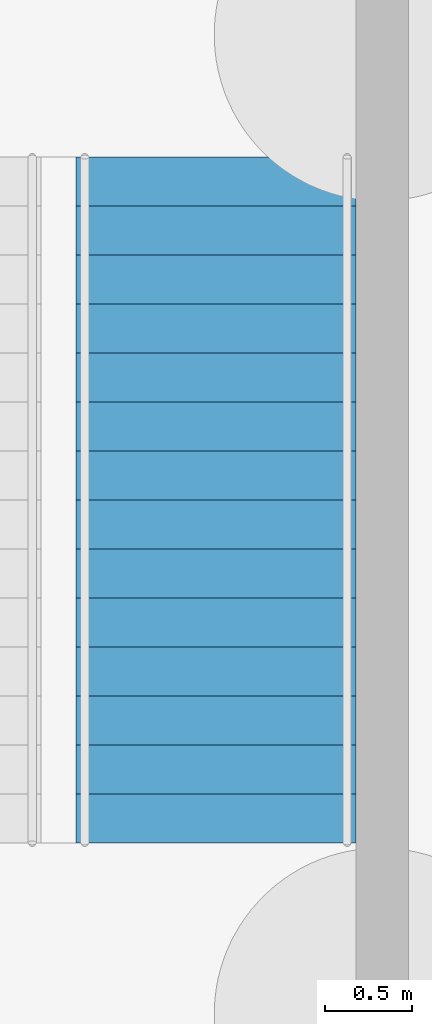
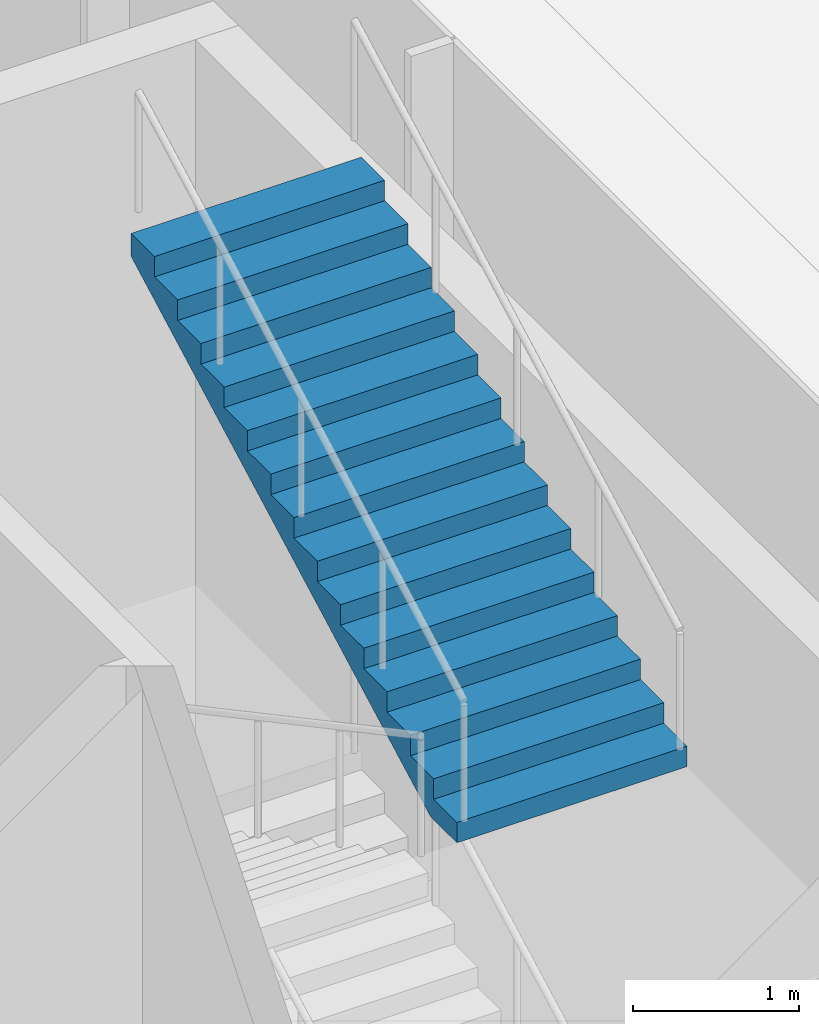
# One storey, part 103 of 113: 1 stair flight, 1 element without a shape of its own.
"""IFC4 building model written with IfcOpenShell, lengths in metres."""

from ifc_helpers import new_model, si_unit, direction, frame, origin, place, context, subcontext, project, spatial, triangles, material, type_object, element, aggregate, save


model = new_model("IFC4")

# Units and contexts
model_context = context("Model", 3, precision=1e-05, world=origin(), true_north=direction((0.0, 1.0)))
body_context = subcontext(model_context, "Body", "Model", "MODEL_VIEW")
ifc_project = project(units=[si_unit("LENGTHUNIT", "METRE"), si_unit("AREAUNIT", "SQUARE_METRE"), si_unit("VOLUMEUNIT", "CUBIC_METRE"), si_unit("PLANEANGLEUNIT", "RADIAN"), si_unit("MASSUNIT", "GRAM", prefix="KILO")], contexts=[model_context])

# Site, building, storey
site_placement = place(None, origin())
site = spatial("IfcSite", under=ifc_project, at=site_placement, CompositionType="ELEMENT")
building_placement = place(site_placement, origin())
building = spatial("IfcBuilding", under=site, at=building_placement, Name="Hakoniwa Tower and Hamabe Station Hall", CompositionType="ELEMENT")
storey_placement = place(building_placement, origin())
storey = spatial("IfcBuildingStorey", under=building, at=storey_placement, Name="L01", CompositionType="ELEMENT", Elevation=0.0)

# Stair, stair flight
ifc_material_1 = material(Name="Concrete C40", Category="concrete")
stair_type = type_object("IfcStairType", Name="STAIR 1600 15X150", PredefinedType="HALF_TURN_STAIR", material=ifc_material_1)
stair_placement = place(storey_placement, origin())
stair = element("IfcStair", 1, at=stair_placement, inside=storey, type_object=stair_type, Name="Escape stair SS4 L01", PredefinedType="HALF_TURN_STAIR")
ifc_material_2 = material(Name="Concrete C40", Category="concrete")
stair_flight_type = type_object("IfcStairFlightType", Name="STAIR FLIGHT 1600", PredefinedType="STRAIGHT", material=ifc_material_2)
stair_flight_placement = place(storey_placement, frame((167.64990234375, -20.820068359375, 6.75), z_axis=(0.0, 0.0, 1.0), x_axis=(0.0, 1.0, 0.0)))
stair_flight = element("IfcStairFlight", 2, at=stair_flight_placement, type_object=stair_flight_type, Name="SS4 flight 4", NumberOfRisers=15, NumberOfTreads=14, PredefinedType="STRAIGHT", RiserHeight=0.15, TreadLength=0.28, context=body_context, shape_type="Tessellation", body=[
    triangles([(0.0, 0.800048828125, 0.0), (0.280029296875, 0.800048828125, 0.0), (0.3173828125, 0.800048828125, 0.0), (0.56005859375, 0.800048828125, 0.1298828125), (0.840087890625, 0.800048828125, 0.280029296875), (1.1201171875, 0.800048828125, 0.429931640625), (1.39990234375, 0.800048828125, 0.579833984375), (1.679931640625, 0.800048828125, 0.72998046875), (1.9599609375, 0.800048828125, 0.8798828125), (2.239990234375, 0.800048828125, 1.030029296875), (2.52001953125, 0.800048828125, 1.179931640625), (2.800048828125, 0.800048828125, 1.329833984375), (3.080078125, 0.800048828125, 1.47998046875), (3.360107421875, 0.800048828125, 1.6298828125), (3.639892578125, 0.800048828125, 1.780029296875), (3.919921875, 0.800048828125, 1.929931640625), (3.919921875, 0.800048828125, 2.10009765625), (3.639892578125, 0.800048828125, 2.10009765625), (3.639892578125, 0.800048828125, 1.949951171875), (3.360107421875, 0.800048828125, 1.949951171875), (3.360107421875, 0.800048828125, 1.800048828125), (3.080078125, 0.800048828125, 1.800048828125), (3.080078125, 0.800048828125, 1.64990234375), (2.800048828125, 0.800048828125, 1.64990234375), (2.800048828125, 0.800048828125, 1.5), (2.52001953125, 0.800048828125, 1.5), (2.52001953125, 0.800048828125, 1.35009765625), (2.239990234375, 0.800048828125, 1.35009765625), (2.239990234375, 0.800048828125, 1.199951171875), (1.9599609375, 0.800048828125, 1.199951171875), (1.9599609375, 0.800048828125, 1.050048828125), (1.679931640625, 0.800048828125, 1.050048828125), (1.679931640625, 0.800048828125, 0.89990234375), (1.39990234375, 0.800048828125, 0.89990234375), (1.39990234375, 0.800048828125, 0.75), (1.1201171875, 0.800048828125, 0.75), (1.1201171875, 0.800048828125, 0.60009765625), (0.840087890625, 0.800048828125, 0.60009765625), (0.840087890625, 0.800048828125, 0.449951171875), (0.56005859375, 0.800048828125, 0.449951171875), (0.56005859375, 0.800048828125, 0.300048828125), (0.3173828125, 0.800048828125, 0.300048828125), (0.280029296875, 0.800048828125, 0.300048828125), (0.280029296875, 0.800048828125, 0.14990234375), (0.0, 0.800048828125, 0.14990234375), (0.0, 0.06005859375, 0.0), (0.280029296875, 0.06005859375, 0.0), (0.3173828125, 0.06005859375, 0.0), (0.56005859375, 0.06005859375, 0.1298828125), (0.840087890625, 0.06005859375, 0.280029296875), (1.1201171875, 0.06005859375, 0.429931640625), (1.39990234375, 0.06005859375, 0.579833984375), (1.679931640625, 0.06005859375, 0.72998046875), (1.9599609375, 0.06005859375, 0.8798828125), (2.239990234375, 0.06005859375, 1.030029296875), (2.52001953125, 0.06005859375, 1.179931640625), (2.800048828125, 0.06005859375, 1.329833984375), (3.080078125, 0.06005859375, 1.47998046875), (3.360107421875, 0.06005859375, 1.6298828125), (3.639892578125, 0.06005859375, 1.780029296875), (3.919921875, 0.06005859375, 1.929931640625), (3.919921875, 0.06005859375, 2.10009765625), (3.639892578125, 0.06005859375, 2.10009765625), (3.639892578125, 0.06005859375, 1.949951171875), (3.360107421875, 0.06005859375, 1.949951171875), (3.360107421875, 0.06005859375, 1.800048828125), (3.080078125, 0.06005859375, 1.800048828125), (3.080078125, 0.06005859375, 1.64990234375), (2.800048828125, 0.06005859375, 1.64990234375), (2.800048828125, 0.06005859375, 1.5), (2.52001953125, 0.06005859375, 1.5), (2.52001953125, 0.06005859375, 1.35009765625), (2.239990234375, 0.06005859375, 1.35009765625), (2.239990234375, 0.06005859375, 1.199951171875), (1.9599609375, 0.06005859375, 1.199951171875), (1.9599609375, 0.06005859375, 1.050048828125), (1.679931640625, 0.06005859375, 1.050048828125), (1.679931640625, 0.06005859375, 0.89990234375), (1.39990234375, 0.06005859375, 0.89990234375), (1.39990234375, 0.06005859375, 0.75), (1.1201171875, 0.06005859375, 0.75), (1.1201171875, 0.06005859375, 0.60009765625), (0.840087890625, 0.06005859375, 0.60009765625), (0.840087890625, 0.06005859375, 0.449951171875), (0.56005859375, 0.06005859375, 0.449951171875), (0.56005859375, 0.06005859375, 0.300048828125), (0.3173828125, 0.06005859375, 0.300048828125), (0.280029296875, 0.06005859375, 0.300048828125), (0.280029296875, 0.06005859375, 0.14990234375), (0.0, 0.06005859375, 0.14990234375), (0.0, 0.02001953125, 0.0), (0.280029296875, 0.02001953125, 0.0), (0.3173828125, 0.02001953125, 0.0), (0.56005859375, 0.02001953125, 0.1298828125), (0.840087890625, 0.02001953125, 0.280029296875), (1.1201171875, 0.02001953125, 0.429931640625), (1.39990234375, 0.02001953125, 0.579833984375), (1.679931640625, 0.02001953125, 0.72998046875), (1.9599609375, 0.02001953125, 0.8798828125), (2.239990234375, 0.02001953125, 1.030029296875), (2.52001953125, 0.02001953125, 1.179931640625), (2.800048828125, 0.02001953125, 1.329833984375), (3.080078125, 0.02001953125, 1.47998046875), (3.360107421875, 0.02001953125, 1.6298828125), (3.639892578125, 0.02001953125, 1.780029296875), (3.919921875, 0.02001953125, 1.929931640625), (3.919921875, 0.02001953125, 2.10009765625), (3.639892578125, 0.02001953125, 2.10009765625), (3.639892578125, 0.02001953125, 1.949951171875), (3.360107421875, 0.02001953125, 1.949951171875), (3.360107421875, 0.02001953125, 1.800048828125), (3.080078125, 0.02001953125, 1.800048828125), (3.080078125, 0.02001953125, 1.64990234375), (2.800048828125, 0.02001953125, 1.64990234375), (2.800048828125, 0.02001953125, 1.5), (2.52001953125, 0.02001953125, 1.5), (2.52001953125, 0.02001953125, 1.35009765625), (2.239990234375, 0.02001953125, 1.35009765625), (2.239990234375, 0.02001953125, 1.199951171875), (1.9599609375, 0.02001953125, 1.199951171875), (1.9599609375, 0.02001953125, 1.050048828125), (1.679931640625, 0.02001953125, 1.050048828125), (1.679931640625, 0.02001953125, 0.89990234375), (1.39990234375, 0.02001953125, 0.89990234375), (1.39990234375, 0.02001953125, 0.75), (1.1201171875, 0.02001953125, 0.75), (1.1201171875, 0.02001953125, 0.60009765625), (0.840087890625, 0.02001953125, 0.60009765625), (0.840087890625, 0.02001953125, 0.449951171875), (0.56005859375, 0.02001953125, 0.449951171875), (0.56005859375, 0.02001953125, 0.300048828125), (0.3173828125, 0.02001953125, 0.300048828125), (0.280029296875, 0.02001953125, 0.300048828125), (0.280029296875, 0.02001953125, 0.14990234375), (0.0, 0.02001953125, 0.14990234375), (0.0, -0.02001953125, 0.0), (0.280029296875, -0.02001953125, 0.0), (0.3173828125, -0.02001953125, 0.0), (0.56005859375, -0.02001953125, 0.1298828125), (0.840087890625, -0.02001953125, 0.280029296875), (1.1201171875, -0.02001953125, 0.429931640625), (1.39990234375, -0.02001953125, 0.579833984375), (1.679931640625, -0.02001953125, 0.72998046875), (1.9599609375, -0.02001953125, 0.8798828125), (2.239990234375, -0.02001953125, 1.030029296875), (2.52001953125, -0.02001953125, 1.179931640625), (2.800048828125, -0.02001953125, 1.329833984375), (3.080078125, -0.02001953125, 1.47998046875), (3.360107421875, -0.02001953125, 1.6298828125), (3.639892578125, -0.02001953125, 1.780029296875), (3.919921875, -0.02001953125, 1.929931640625), (3.919921875, -0.02001953125, 2.10009765625), (3.639892578125, -0.02001953125, 2.10009765625), (3.639892578125, -0.02001953125, 1.949951171875), (3.360107421875, -0.02001953125, 1.949951171875), (3.360107421875, -0.02001953125, 1.800048828125), (3.080078125, -0.02001953125, 1.800048828125), (3.080078125, -0.02001953125, 1.64990234375), (2.800048828125, -0.02001953125, 1.64990234375), (2.800048828125, -0.02001953125, 1.5), (2.52001953125, -0.02001953125, 1.5), (2.52001953125, -0.02001953125, 1.35009765625), (2.239990234375, -0.02001953125, 1.35009765625), (2.239990234375, -0.02001953125, 1.199951171875), (1.9599609375, -0.02001953125, 1.199951171875), (1.9599609375, -0.02001953125, 1.050048828125), (1.679931640625, -0.02001953125, 1.050048828125), (1.679931640625, -0.02001953125, 0.89990234375), (1.39990234375, -0.02001953125, 0.89990234375), (1.39990234375, -0.02001953125, 0.75), (1.1201171875, -0.02001953125, 0.75), (1.1201171875, -0.02001953125, 0.60009765625), (0.840087890625, -0.02001953125, 0.60009765625), (0.840087890625, -0.02001953125, 0.449951171875), (0.56005859375, -0.02001953125, 0.449951171875), (0.56005859375, -0.02001953125, 0.300048828125), (0.3173828125, -0.02001953125, 0.300048828125), (0.280029296875, -0.02001953125, 0.300048828125), (0.280029296875, -0.02001953125, 0.14990234375), (0.0, -0.02001953125, 0.14990234375), (0.0, -0.06005859375, 0.0), (0.280029296875, -0.06005859375, 0.0), (0.3173828125, -0.06005859375, 0.0), (0.56005859375, -0.06005859375, 0.1298828125), (0.840087890625, -0.06005859375, 0.280029296875), (1.1201171875, -0.06005859375, 0.429931640625), (1.39990234375, -0.06005859375, 0.579833984375), (1.679931640625, -0.06005859375, 0.72998046875), (1.9599609375, -0.06005859375, 0.8798828125), (2.239990234375, -0.06005859375, 1.030029296875), (2.52001953125, -0.06005859375, 1.179931640625), (2.800048828125, -0.06005859375, 1.329833984375), (3.080078125, -0.06005859375, 1.47998046875), (3.360107421875, -0.06005859375, 1.6298828125), (3.639892578125, -0.06005859375, 1.780029296875), (3.919921875, -0.06005859375, 1.929931640625), (3.919921875, -0.06005859375, 2.10009765625), (3.639892578125, -0.06005859375, 2.10009765625), (3.639892578125, -0.06005859375, 1.949951171875), (3.360107421875, -0.06005859375, 1.949951171875), (3.360107421875, -0.06005859375, 1.800048828125), (3.080078125, -0.06005859375, 1.800048828125), (3.080078125, -0.06005859375, 1.64990234375), (2.800048828125, -0.06005859375, 1.64990234375), (2.800048828125, -0.06005859375, 1.5), (2.52001953125, -0.06005859375, 1.5), (2.52001953125, -0.06005859375, 1.35009765625), (2.239990234375, -0.06005859375, 1.35009765625), (2.239990234375, -0.06005859375, 1.199951171875), (1.9599609375, -0.06005859375, 1.199951171875), (1.9599609375, -0.06005859375, 1.050048828125), (1.679931640625, -0.06005859375, 1.050048828125), (1.679931640625, -0.06005859375, 0.89990234375), (1.39990234375, -0.06005859375, 0.89990234375), (1.39990234375, -0.06005859375, 0.75), (1.1201171875, -0.06005859375, 0.75), (1.1201171875, -0.06005859375, 0.60009765625), (0.840087890625, -0.06005859375, 0.60009765625), (0.840087890625, -0.06005859375, 0.449951171875), (0.56005859375, -0.06005859375, 0.449951171875), (0.56005859375, -0.06005859375, 0.300048828125), (0.3173828125, -0.06005859375, 0.300048828125), (0.280029296875, -0.06005859375, 0.300048828125), (0.280029296875, -0.06005859375, 0.14990234375), (0.0, -0.06005859375, 0.14990234375), (0.0, -0.800048828125, 0.0), (0.280029296875, -0.800048828125, 0.0), (0.3173828125, -0.800048828125, 0.0), (0.56005859375, -0.800048828125, 0.1298828125), (0.840087890625, -0.800048828125, 0.280029296875), (1.1201171875, -0.800048828125, 0.429931640625), (1.39990234375, -0.800048828125, 0.579833984375), (1.679931640625, -0.800048828125, 0.72998046875), (1.9599609375, -0.800048828125, 0.8798828125), (2.239990234375, -0.800048828125, 1.030029296875), (2.52001953125, -0.800048828125, 1.179931640625), (2.800048828125, -0.800048828125, 1.329833984375), (3.080078125, -0.800048828125, 1.47998046875), (3.360107421875, -0.800048828125, 1.6298828125), (3.639892578125, -0.800048828125, 1.780029296875), (3.919921875, -0.800048828125, 1.929931640625), (3.919921875, -0.800048828125, 2.10009765625), (3.639892578125, -0.800048828125, 2.10009765625), (3.639892578125, -0.800048828125, 1.949951171875), (3.360107421875, -0.800048828125, 1.949951171875), (3.360107421875, -0.800048828125, 1.800048828125), (3.080078125, -0.800048828125, 1.800048828125), (3.080078125, -0.800048828125, 1.64990234375), (2.800048828125, -0.800048828125, 1.64990234375), (2.800048828125, -0.800048828125, 1.5), (2.52001953125, -0.800048828125, 1.5), (2.52001953125, -0.800048828125, 1.35009765625), (2.239990234375, -0.800048828125, 1.35009765625), (2.239990234375, -0.800048828125, 1.199951171875), (1.9599609375, -0.800048828125, 1.199951171875), (1.9599609375, -0.800048828125, 1.050048828125), (1.679931640625, -0.800048828125, 1.050048828125), (1.679931640625, -0.800048828125, 0.89990234375), (1.39990234375, -0.800048828125, 0.89990234375), (1.39990234375, -0.800048828125, 0.75), (1.1201171875, -0.800048828125, 0.75), (1.1201171875, -0.800048828125, 0.60009765625), (0.840087890625, -0.800048828125, 0.60009765625), (0.840087890625, -0.800048828125, 0.449951171875), (0.56005859375, -0.800048828125, 0.449951171875), (0.56005859375, -0.800048828125, 0.300048828125), (0.3173828125, -0.800048828125, 0.300048828125), (0.280029296875, -0.800048828125, 0.300048828125), (0.280029296875, -0.800048828125, 0.14990234375), (0.0, -0.800048828125, 0.14990234375)], [[2, 45, 44], [227, 269, 270], [2, 1, 45], [227, 270, 226], [3, 43, 42], [228, 267, 268], [3, 44, 43], [228, 268, 269], [3, 2, 44], [228, 269, 227], [4, 42, 41], [229, 266, 267], [4, 3, 42], [229, 267, 228], [5, 40, 39], [230, 264, 265], [5, 41, 40], [230, 265, 266], [5, 4, 41], [230, 266, 229], [6, 38, 37], [231, 262, 263], [6, 39, 38], [231, 263, 264], [6, 5, 39], [231, 264, 230], [7, 36, 35], [232, 260, 261], [7, 37, 36], [232, 261, 262], [7, 6, 37], [232, 262, 231], [8, 34, 33], [233, 258, 259], [8, 35, 34], [233, 259, 260], [8, 7, 35], [233, 260, 232], [9, 32, 31], [234, 256, 257], [9, 33, 32], [234, 257, 258], [9, 8, 33], [234, 258, 233], [10, 30, 29], [235, 254, 255], [10, 31, 30], [235, 255, 256], [10, 9, 31], [235, 256, 234], [11, 28, 27], [236, 252, 253], [11, 29, 28], [236, 253, 254], [11, 10, 29], [236, 254, 235], [12, 26, 25], [237, 250, 251], [12, 27, 26], [237, 251, 252], [12, 11, 27], [237, 252, 236], [13, 24, 23], [238, 248, 249], [13, 25, 24], [238, 249, 250], [13, 12, 25], [238, 250, 237], [14, 22, 21], [239, 246, 247], [14, 23, 22], [239, 247, 248], [14, 13, 23], [239, 248, 238], [15, 20, 19], [240, 244, 245], [15, 21, 20], [240, 245, 246], [15, 14, 21], [240, 246, 239], [16, 18, 17], [241, 242, 243], [16, 19, 18], [241, 243, 244], [16, 15, 19], [241, 244, 240], [1, 2, 47], [1, 47, 46], [46, 47, 92], [46, 92, 91], [91, 92, 137], [91, 137, 136], [136, 137, 182], [136, 182, 181], [181, 182, 227], [181, 227, 226], [2, 3, 48], [2, 48, 47], [47, 48, 93], [47, 93, 92], [92, 93, 138], [92, 138, 137], [137, 138, 183], [137, 183, 182], [182, 183, 228], [182, 228, 227], [3, 4, 49], [3, 49, 48], [48, 49, 94], [48, 94, 93], [93, 94, 139], [93, 139, 138], [138, 139, 184], [138, 184, 183], [183, 184, 229], [183, 229, 228], [4, 5, 50], [4, 50, 49], [49, 50, 95], [49, 95, 94], [94, 95, 140], [94, 140, 139], [139, 140, 185], [139, 185, 184], [184, 185, 230], [184, 230, 229], [5, 6, 51], [5, 51, 50], [50, 51, 96], [50, 96, 95], [95, 96, 141], [95, 141, 140], [140, 141, 186], [140, 186, 185], [185, 186, 231], [185, 231, 230], [6, 7, 52], [6, 52, 51], [51, 52, 97], [51, 97, 96], [96, 97, 142], [96, 142, 141], [141, 142, 187], [141, 187, 186], [186, 187, 232], [186, 232, 231], [7, 8, 53], [7, 53, 52], [52, 53, 98], [52, 98, 97], [97, 98, 143], [97, 143, 142], [142, 143, 188], [142, 188, 187], [187, 188, 233], [187, 233, 232], [8, 9, 54], [8, 54, 53], [53, 54, 99], [53, 99, 98], [98, 99, 144], [98, 144, 143], [143, 144, 189], [143, 189, 188], [188, 189, 234], [188, 234, 233], [9, 10, 55], [9, 55, 54], [54, 55, 100], [54, 100, 99], [99, 100, 145], [99, 145, 144], [144, 145, 190], [144, 190, 189], [189, 190, 235], [189, 235, 234], [10, 11, 56], [10, 56, 55], [55, 56, 101], [55, 101, 100], [100, 101, 146], [100, 146, 145], [145, 146, 191], [145, 191, 190], [190, 191, 236], [190, 236, 235], [11, 12, 57], [11, 57, 56], [56, 57, 102], [56, 102, 101], [101, 102, 147], [101, 147, 146], [146, 147, 192], [146, 192, 191], [191, 192, 237], [191, 237, 236], [12, 13, 58], [12, 58, 57], [57, 58, 103], [57, 103, 102], [102, 103, 148], [102, 148, 147], [147, 148, 193], [147, 193, 192], [192, 193, 238], [192, 238, 237], [13, 14, 59], [13, 59, 58], [58, 59, 104], [58, 104, 103], [103, 104, 149], [103, 149, 148], [148, 149, 194], [148, 194, 193], [193, 194, 239], [193, 239, 238], [14, 15, 60], [14, 60, 59], [59, 60, 105], [59, 105, 104], [104, 105, 150], [104, 150, 149], [149, 150, 195], [149, 195, 194], [194, 195, 240], [194, 240, 239], [15, 16, 61], [15, 61, 60], [60, 61, 106], [60, 106, 105], [105, 106, 151], [105, 151, 150], [150, 151, 196], [150, 196, 195], [195, 196, 241], [195, 241, 240], [16, 17, 62], [16, 62, 61], [61, 62, 107], [61, 107, 106], [106, 107, 152], [106, 152, 151], [151, 152, 197], [151, 197, 196], [196, 197, 242], [196, 242, 241], [17, 18, 63], [17, 63, 62], [62, 63, 108], [62, 108, 107], [107, 108, 153], [107, 153, 152], [152, 153, 198], [152, 198, 197], [197, 198, 243], [197, 243, 242], [18, 19, 64], [18, 64, 63], [63, 64, 109], [63, 109, 108], [108, 109, 154], [108, 154, 153], [153, 154, 199], [153, 199, 198], [198, 199, 244], [198, 244, 243], [19, 20, 65], [19, 65, 64], [64, 65, 110], [64, 110, 109], [109, 110, 155], [109, 155, 154], [154, 155, 200], [154, 200, 199], [199, 200, 245], [199, 245, 244], [20, 21, 66], [20, 66, 65], [65, 66, 111], [65, 111, 110], [110, 111, 156], [110, 156, 155], [155, 156, 201], [155, 201, 200], [200, 201, 246], [200, 246, 245], [21, 22, 67], [21, 67, 66], [66, 67, 112], [66, 112, 111], [111, 112, 157], [111, 157, 156], [156, 157, 202], [156, 202, 201], [201, 202, 247], [201, 247, 246], [22, 23, 68], [22, 68, 67], [67, 68, 113], [67, 113, 112], [112, 113, 158], [112, 158, 157], [157, 158, 203], [157, 203, 202], [202, 203, 248], [202, 248, 247], [23, 24, 69], [23, 69, 68], [68, 69, 114], [68, 114, 113], [113, 114, 159], [113, 159, 158], [158, 159, 204], [158, 204, 203], [203, 204, 249], [203, 249, 248], [24, 25, 70], [24, 70, 69], [69, 70, 115], [69, 115, 114], [114, 115, 160], [114, 160, 159], [159, 160, 205], [159, 205, 204], [204, 205, 250], [204, 250, 249], [25, 26, 71], [25, 71, 70], [70, 71, 116], [70, 116, 115], [115, 116, 161], [115, 161, 160], [160, 161, 206], [160, 206, 205], [205, 206, 251], [205, 251, 250], [26, 27, 72], [26, 72, 71], [71, 72, 117], [71, 117, 116], [116, 117, 162], [116, 162, 161], [161, 162, 207], [161, 207, 206], [206, 207, 252], [206, 252, 251], [27, 28, 73], [27, 73, 72], [72, 73, 118], [72, 118, 117], [117, 118, 163], [117, 163, 162], [162, 163, 208], [162, 208, 207], [207, 208, 253], [207, 253, 252], [28, 29, 74], [28, 74, 73], [73, 74, 119], [73, 119, 118], [118, 119, 164], [118, 164, 163], [163, 164, 209], [163, 209, 208], [208, 209, 254], [208, 254, 253], [29, 30, 75], [29, 75, 74], [74, 75, 120], [74, 120, 119], [119, 120, 165], [119, 165, 164], [164, 165, 210], [164, 210, 209], [209, 210, 255], [209, 255, 254], [30, 31, 76], [30, 76, 75], [75, 76, 121], [75, 121, 120], [120, 121, 166], [120, 166, 165], [165, 166, 211], [165, 211, 210], [210, 211, 256], [210, 256, 255], [31, 32, 77], [31, 77, 76], [76, 77, 122], [76, 122, 121], [121, 122, 167], [121, 167, 166], [166, 167, 212], [166, 212, 211], [211, 212, 257], [211, 257, 256], [32, 33, 78], [32, 78, 77], [77, 78, 123], [77, 123, 122], [122, 123, 168], [122, 168, 167], [167, 168, 213], [167, 213, 212], [212, 213, 258], [212, 258, 257], [33, 34, 79], [33, 79, 78], [78, 79, 124], [78, 124, 123], [123, 124, 169], [123, 169, 168], [168, 169, 214], [168, 214, 213], [213, 214, 259], [213, 259, 258], [34, 35, 80], [34, 80, 79], [79, 80, 125], [79, 125, 124], [124, 125, 170], [124, 170, 169], [169, 170, 215], [169, 215, 214], [214, 215, 260], [214, 260, 259], [35, 36, 81], [35, 81, 80], [80, 81, 126], [80, 126, 125], [125, 126, 171], [125, 171, 170], [170, 171, 216], [170, 216, 215], [215, 216, 261], [215, 261, 260], [36, 37, 82], [36, 82, 81], [81, 82, 127], [81, 127, 126], [126, 127, 172], [126, 172, 171], [171, 172, 217], [171, 217, 216], [216, 217, 262], [216, 262, 261], [37, 38, 83], [37, 83, 82], [82, 83, 128], [82, 128, 127], [127, 128, 173], [127, 173, 172], [172, 173, 218], [172, 218, 217], [217, 218, 263], [217, 263, 262], [38, 39, 84], [38, 84, 83], [83, 84, 129], [83, 129, 128], [128, 129, 174], [128, 174, 173], [173, 174, 219], [173, 219, 218], [218, 219, 264], [218, 264, 263], [39, 40, 85], [39, 85, 84], [84, 85, 130], [84, 130, 129], [129, 130, 175], [129, 175, 174], [174, 175, 220], [174, 220, 219], [219, 220, 265], [219, 265, 264], [40, 41, 86], [40, 86, 85], [85, 86, 131], [85, 131, 130], [130, 131, 176], [130, 176, 175], [175, 176, 221], [175, 221, 220], [220, 221, 266], [220, 266, 265], [41, 42, 87], [41, 87, 86], [86, 87, 132], [86, 132, 131], [131, 132, 177], [131, 177, 176], [176, 177, 222], [176, 222, 221], [221, 222, 267], [221, 267, 266], [42, 43, 88], [42, 88, 87], [87, 88, 133], [87, 133, 132], [132, 133, 178], [132, 178, 177], [177, 178, 223], [177, 223, 222], [222, 223, 268], [222, 268, 267], [43, 44, 89], [43, 89, 88], [88, 89, 134], [88, 134, 133], [133, 134, 179], [133, 179, 178], [178, 179, 224], [178, 224, 223], [223, 224, 269], [223, 269, 268], [44, 45, 90], [44, 90, 89], [89, 90, 135], [89, 135, 134], [134, 135, 180], [134, 180, 179], [179, 180, 225], [179, 225, 224], [224, 225, 270], [224, 270, 269], [45, 1, 46], [45, 46, 90], [90, 46, 91], [90, 91, 135], [135, 91, 136], [135, 136, 180], [180, 136, 181], [180, 181, 225], [225, 181, 226], [225, 226, 270]], closed=True),
])
aggregate(stair, [stair_flight])

save(model, "model.ifc")
